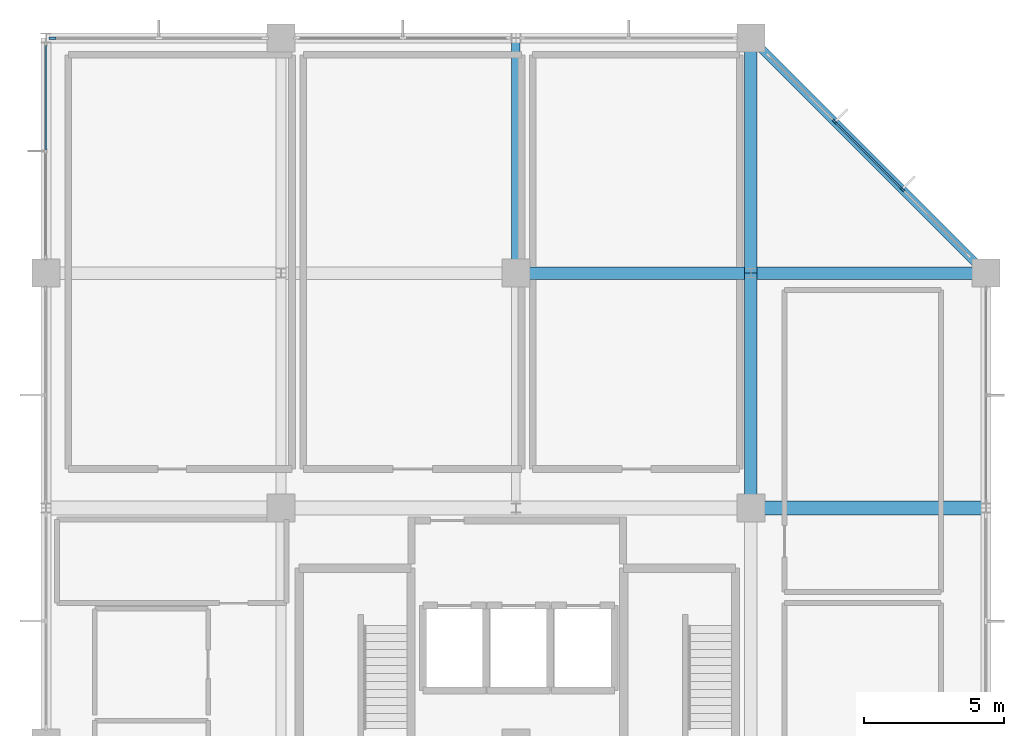
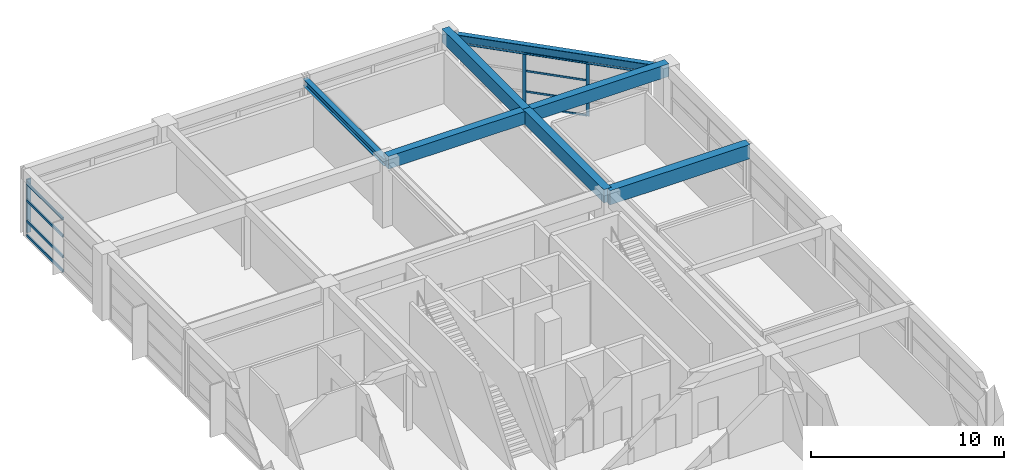
# One storey, part 8 of 16: 11 members, 7 beams, 3 elements without a shape of their own.
"""IFC4 building model written with IfcOpenShell, lengths in metres."""

from ifc_helpers import new_model, si_unit, direction, frame, origin, origin_2d, place, context, subcontext, project, spatial, rectangle, i_section, extrude, material, material_profile, profile_set, type_object, element, aggregate, save


model = new_model("IFC4")

# Units and contexts
model_context = context("Model", 3, precision=1e-05, world=origin(), true_north=direction((0.0, 1.0)))
body_context = subcontext(model_context, "Body", "Model", "MODEL_VIEW")
ifc_project = project(units=[si_unit("LENGTHUNIT", "METRE"), si_unit("AREAUNIT", "SQUARE_METRE"), si_unit("VOLUMEUNIT", "CUBIC_METRE"), si_unit("PLANEANGLEUNIT", "RADIAN"), si_unit("MASSUNIT", "GRAM", prefix="KILO")], contexts=[model_context])

# Site, building, storey
site_placement = place(None, origin())
site = spatial("IfcSite", under=ifc_project, at=site_placement, CompositionType="ELEMENT")
building_placement = place(site_placement, origin())
building = spatial("IfcBuilding", under=site, at=building_placement, Name="Xuanlan Plaza Opera House", CompositionType="ELEMENT")
storey_placement = place(building_placement, frame((0.0, 0.0, 48.89990234375)))
storey = spatial("IfcBuildingStorey", under=building, at=storey_placement, Name="L11", CompositionType="ELEMENT", Elevation=48.89990234375)

# Curtain wall, members
ifc_material_1 = material(Name="Anodised Aluminium 6063-T6 and Low-E Glass", Category="aluminium")
curtain_wall_type_1 = type_object("IfcCurtainWallType", Name="ENV-CW-CW-02", PredefinedType="USERDEFINED", material=ifc_material_1)
curtain_wall_1_placement = place(storey_placement, origin())
curtain_wall_1 = element("IfcCurtainWall", 1, at=curtain_wall_1_placement, inside=storey, type_object=curtain_wall_type_1, Name="Unitised Curtain Wall L11-009", ObjectType="UNITISED CURTAIN WALL", PredefinedType="USERDEFINED")
ifc_material_2 = material(Name="Anodised Aluminium 6063-T6", Category="aluminium")
ifc_material_profile_1 = material_profile(ifc_material_2, rectangle(XDim=0.070068359375, YDim=0.179931640625, at=origin_2d()), Name="ALU-M 70x180")
ifc_profile_set_1 = profile_set([ifc_material_profile_1], Name="Anodised Aluminium 6063-T6")
member_type_1 = type_object("IfcMemberType", Name="ENV-CWM-02", PredefinedType="MULLION", material=ifc_profile_set_1)
member_1_placement = place(storey_placement, frame((156.600341796875, 78.599609375, 0.0), z_axis=(0.0, 0.0, 1.0), x_axis=(-0.707106781187, -0.707106781187, 0.0)))
member_1 = element("IfcMember", 2, at=member_1_placement, type_object=member_type_1, Name="CW-02 mullion 2", PredefinedType="MULLION", context=body_context, shape_type="SweptSolid", body=[
    extrude(rectangle(XDim=0.070068359375, YDim=0.179931640625, at=origin_2d()), origin(), (0.0, 0.0, 1.0), 3.380126953125),
])
member_2_placement = place(storey_placement, frame((154.19970703125, 81.000244140625, 0.0), z_axis=(0.0, 0.0, 1.0), x_axis=(-0.707106781187, -0.707106781187, 0.0)))
member_2 = element("IfcMember", 3, at=member_2_placement, type_object=member_type_1, Name="CW-02 mullion 3", PredefinedType="MULLION", context=body_context, shape_type="SweptSolid", body=[
    extrude(rectangle(XDim=0.070068359375, YDim=0.179931640625, at=origin_2d()), origin(), (0.0, 0.0, 1.0), 3.380126953125),
])

# Curtain wall, member
curtain_wall_type_2 = type_object("IfcCurtainWallType", Name="ENV-CW-CW-01", PredefinedType="USERDEFINED", material=ifc_material_1)
curtain_wall_2_placement = place(storey_placement, origin())
curtain_wall_2 = element("IfcCurtainWall", 4, at=curtain_wall_2_placement, inside=storey, type_object=curtain_wall_type_2, Name="Unitised Curtain Wall L11-012", ObjectType="UNITISED CURTAIN WALL", PredefinedType="USERDEFINED")
ifc_material_profile_2 = material_profile(ifc_material_2, rectangle(XDim=0.090087890625, YDim=0.25, at=origin_2d()), Name="ALU-M 90x250")
ifc_profile_set_2 = profile_set([ifc_material_profile_2], Name="Anodised Aluminium 6063-T6")
member_type_2 = type_object("IfcMemberType", Name="ENV-CWM-05", PredefinedType="MULLION", material=ifc_profile_set_2)
member_3_placement = place(storey_placement, frame((126.239990234375, 84.0, 0.0), z_axis=(0.0, 0.0, 1.0), x_axis=(0.0, -1.0, 0.0)))
member_3 = element("IfcMember", 5, at=member_3_placement, type_object=member_type_2, Name="CW-01 mullion 3", PredefinedType="MULLION", context=body_context, shape_type="SweptSolid", body=[
    extrude(rectangle(XDim=0.090087890625, YDim=0.25, at=origin_2d()), origin(), (0.0, 0.0, 1.0), 3.380126953125),
])
aggregate(curtain_wall_2, [member_3])

# Member
ifc_material_profile_3 = material_profile(ifc_material_2, rectangle(XDim=0.06494140625, YDim=0.1201171875, at=origin_2d()), Name="ALU-T 65x120")
ifc_profile_set_3 = profile_set([ifc_material_profile_3], Name="Anodised Aluminium 6063-T6")
member_type_3 = type_object("IfcMemberType", Name="ENV-CWT-01", PredefinedType="USERDEFINED", material=ifc_profile_set_3)
member_4_placement = place(storey_placement, frame((156.57568359375, 78.62451171875, 0.03271484375), z_axis=(-0.707143492075, 0.707070068392, 0.0), x_axis=(-0.707070068392, -0.707143492075, 0.0)))
member_4 = element("IfcMember", 6, at=member_4_placement, type_object=member_type_3, Name="CW-02 transom 2.1", ObjectType="TRANSOM", PredefinedType="USERDEFINED", context=body_context, shape_type="SweptSolid", body=[
    extrude(rectangle(XDim=0.06494140625, YDim=0.1201171875, at=origin_2d()), origin(), (0.0, 0.0, 1.0), 3.3251953125),
])

member_5_placement = place(storey_placement, frame((156.57568359375, 78.62451171875, 0.9501953125), z_axis=(-0.707143492075, 0.707070068392, 0.0), x_axis=(-0.707070068392, -0.707143492075, 0.0)))
member_5 = element("IfcMember", 7, at=member_5_placement, type_object=member_type_3, Name="CW-02 transom 2.2", ObjectType="TRANSOM", PredefinedType="USERDEFINED", context=body_context, shape_type="SweptSolid", body=[
    extrude(rectangle(XDim=0.06494140625, YDim=0.1201171875, at=origin_2d()), origin(), (0.0, 0.0, 1.0), 3.3251953125),
])

member_6_placement = place(storey_placement, frame((156.57568359375, 78.62451171875, 2.25), z_axis=(-0.707143492075, 0.707070068392, 0.0), x_axis=(-0.707070068392, -0.707143492075, 0.0)))
member_6 = element("IfcMember", 8, at=member_6_placement, type_object=member_type_3, Name="CW-02 transom 2.3", ObjectType="TRANSOM", PredefinedType="USERDEFINED", context=body_context, shape_type="SweptSolid", body=[
    extrude(rectangle(XDim=0.06494140625, YDim=0.1201171875, at=origin_2d()), origin(), (0.0, 0.0, 1.0), 3.3251953125),
])

member_7_placement = place(storey_placement, frame((156.57568359375, 78.62451171875, 3.34765625), z_axis=(-0.707143492075, 0.707070068392, 0.0), x_axis=(-0.707070068392, -0.707143492075, 0.0)))
member_7 = element("IfcMember", 9, at=member_7_placement, type_object=member_type_3, Name="CW-02 transom 2.4", ObjectType="TRANSOM", PredefinedType="USERDEFINED", context=body_context, shape_type="SweptSolid", body=[
    extrude(rectangle(XDim=0.06494140625, YDim=0.1201171875, at=origin_2d()), origin(), (0.0, 0.0, 1.0), 3.3251953125),
])

aggregate(curtain_wall_1, [member_1, member_2, member_4, member_5, member_6, member_7])

# Curtain wall, members
curtain_wall_3_placement = place(storey_placement, origin())
curtain_wall_3 = element("IfcCurtainWall", 10, at=curtain_wall_3_placement, inside=storey, type_object=curtain_wall_type_1, Name="Unitised Curtain Wall L11-013", ObjectType="UNITISED CURTAIN WALL", PredefinedType="USERDEFINED")
ifc_material_profile_4 = material_profile(ifc_material_2, rectangle(XDim=0.080078125, YDim=0.1650390625, at=origin_2d()), Name="ALU-T 80x165")
ifc_profile_set_4 = profile_set([ifc_material_profile_4], Name="Anodised Aluminium 6063-T6")
member_type_4 = type_object("IfcMemberType", Name="ENV-CWT-04", PredefinedType="USERDEFINED", material=ifc_profile_set_4)
member_8_placement = place(storey_placement, frame((126.0, 83.739990234375, 0.0400390625), z_axis=(0.0, -1.0, 0.0), x_axis=(1.0, 0.0, 0.0)))
member_8 = element("IfcMember", 11, at=member_8_placement, type_object=member_type_4, Name="CW-02 transom 1.1", ObjectType="TRANSOM", PredefinedType="USERDEFINED", context=body_context, shape_type="SweptSolid", body=[
    extrude(rectangle(XDim=0.080078125, YDim=0.1650390625, at=origin_2d()), origin(), (0.0, 0.0, 1.0), 3.744873046875),
])
member_9_placement = place(storey_placement, frame((126.0, 83.739990234375, 0.9501953125), z_axis=(0.0, -1.0, 0.0), x_axis=(1.0, 0.0, 0.0)))
member_9 = element("IfcMember", 12, at=member_9_placement, type_object=member_type_4, Name="CW-02 transom 1.2", ObjectType="TRANSOM", PredefinedType="USERDEFINED", context=body_context, shape_type="SweptSolid", body=[
    extrude(rectangle(XDim=0.080078125, YDim=0.1650390625, at=origin_2d()), origin(), (0.0, 0.0, 1.0), 3.744873046875),
])
member_10_placement = place(storey_placement, frame((126.0, 83.739990234375, 2.25), z_axis=(0.0, -1.0, 0.0), x_axis=(1.0, 0.0, 0.0)))
member_10 = element("IfcMember", 13, at=member_10_placement, type_object=member_type_4, Name="CW-02 transom 1.3", ObjectType="TRANSOM", PredefinedType="USERDEFINED", context=body_context, shape_type="SweptSolid", body=[
    extrude(rectangle(XDim=0.080078125, YDim=0.1650390625, at=origin_2d()), origin(), (0.0, 0.0, 1.0), 3.744873046875),
])
member_11_placement = place(storey_placement, frame((126.0, 83.739990234375, 3.340087890625), z_axis=(0.0, -1.0, 0.0), x_axis=(1.0, 0.0, 0.0)))
member_11 = element("IfcMember", 14, at=member_11_placement, type_object=member_type_4, Name="CW-02 transom 1.4", ObjectType="TRANSOM", PredefinedType="USERDEFINED", context=body_context, shape_type="SweptSolid", body=[
    extrude(rectangle(XDim=0.080078125, YDim=0.1650390625, at=origin_2d()), origin(), (0.0, 0.0, 1.0), 3.744873046875),
])
aggregate(curtain_wall_3, [member_8, member_9, member_10, member_11])

# Beams
ifc_material_3 = material(Name="Concrete C40", Category="concrete")
ifc_material_profile_5 = material_profile(ifc_material_3, rectangle(XDim=0.5, YDim=0.89990234375, at=origin_2d()), Name="RC-BM 500x900")
ifc_profile_set_5 = profile_set([ifc_material_profile_5], Name="Concrete C40")
beam_type_1 = type_object("IfcBeamType", Name="STR-BM-B-03", PredefinedType="BEAM", material=ifc_profile_set_5)
beam_1_placement = place(storey_placement, frame((151.199951171875, 67.199951171875, 3.75), z_axis=(1.0, 0.0, 0.0), x_axis=(0.0, 1.0, 0.0)))
element("IfcBeam", 15, at=beam_1_placement, inside=storey, type_object=beam_type_1, Name="Grid Beam X L11 19-20/I", PredefinedType="BEAM", context=body_context, shape_type="SweptSolid", body=[
    extrude(rectangle(XDim=0.5, YDim=0.89990234375, at=origin_2d()), origin(), (0.0, 0.0, 1.0), 8.400146484375),
])
ifc_material_profile_6 = material_profile(ifc_material_3, rectangle(XDim=0.449951171875, YDim=0.85009765625, at=origin_2d()), Name="RC-BM 450x850")
ifc_profile_set_6 = profile_set([ifc_material_profile_6], Name="Concrete C40")
beam_type_2 = type_object("IfcBeamType", Name="STR-BM-B-04", PredefinedType="BEAM", material=ifc_profile_set_6)
beam_2_placement = place(storey_placement, frame((151.199951171875, 67.199951171875, 3.775146484375), z_axis=(0.0, 1.0, 0.0), x_axis=(-1.0, 0.0, 0.0)))
element("IfcBeam", 16, at=beam_2_placement, inside=storey, type_object=beam_type_2, Name="Grid Beam Y L11 19/I-J", PredefinedType="BEAM", context=body_context, shape_type="SweptSolid", body=[
    extrude(rectangle(XDim=0.449951171875, YDim=0.85009765625, at=origin_2d()), origin(), (0.0, 0.0, 1.0), 8.400146484375),
])
beam_3_placement = place(storey_placement, frame((151.199951171875, 75.60009765625, 3.775146484375), z_axis=(0.0, 1.0, 0.0), x_axis=(-1.0, 0.0, 0.0)))
element("IfcBeam", 17, at=beam_3_placement, inside=storey, type_object=beam_type_2, Name="Grid Beam Y L11 19/J-K", PredefinedType="BEAM", context=body_context, shape_type="SweptSolid", body=[
    extrude(rectangle(XDim=0.449951171875, YDim=0.85009765625, at=origin_2d()), origin(), (0.0, 0.0, 1.0), 8.39990234375),
])
ifc_material_profile_7 = material_profile(ifc_material_3, rectangle(XDim=0.449951171875, YDim=0.800048828125, at=origin_2d()), Name="RC-BM 450x800")
ifc_profile_set_7 = profile_set([ifc_material_profile_7], Name="Concrete C40")
beam_type_3 = type_object("IfcBeamType", Name="STR-BM-B-05", PredefinedType="BEAM", material=ifc_profile_set_7)
beam_4_placement = place(storey_placement, frame((142.800048828125, 75.60009765625, 3.800048828125), z_axis=(1.0, 0.0, 0.0), x_axis=(0.0, 1.0, 0.0)))
element("IfcBeam", 18, at=beam_4_placement, inside=storey, type_object=beam_type_3, Name="Grid Beam X L11 18-19/J", PredefinedType="BEAM", context=body_context, shape_type="SweptSolid", body=[
    extrude(rectangle(XDim=0.449951171875, YDim=0.800048828125, at=origin_2d()), origin(), (0.0, 0.0, 1.0), 8.39990234375),
])
beam_5_placement = place(storey_placement, frame((151.199951171875, 75.60009765625, 3.800048828125), z_axis=(1.0, 0.0, 0.0), x_axis=(0.0, 1.0, 0.0)))
element("IfcBeam", 19, at=beam_5_placement, inside=storey, type_object=beam_type_3, Name="Grid Beam X L11 19-20/J", PredefinedType="BEAM", context=body_context, shape_type="SweptSolid", body=[
    extrude(rectangle(XDim=0.449951171875, YDim=0.800048828125, at=origin_2d()), origin(), (0.0, 0.0, 1.0), 8.400146484375),
])
ifc_material_4 = material(Name="Steel Q355B", Category="steel")
ifc_material_profile_8 = material_profile(ifc_material_4, i_section(OverallWidth=0.300048828125, OverallDepth=0.43994140625, WebThickness=0.010986328125, FlangeThickness=0.01806640625, FilletRadius=0.02001953125, at=origin_2d()), Name="HM 440x300x11x18")
ifc_profile_set_8 = profile_set([ifc_material_profile_8], Name="Steel Q355B")
beam_type_4 = type_object("IfcBeamType", Name="STR-BM-SB-08", PredefinedType="BEAM", material=ifc_profile_set_8)
beam_6_placement = place(storey_placement, frame((142.800048828125, 75.60009765625, 3.735107421875), z_axis=(0.0, 1.0, 0.0), x_axis=(-1.0, 0.0, 0.0)))
element("IfcBeam", 20, at=beam_6_placement, inside=storey, type_object=beam_type_4, Name="Grid Beam Y L11 18/J-K", PredefinedType="BEAM", context=body_context, shape_type="SweptSolid", body=[
    extrude(i_section(OverallWidth=0.300048828125, OverallDepth=0.43994140625, WebThickness=0.010986328125, FlangeThickness=0.01806640625, FilletRadius=0.02001953125, at=origin_2d()), origin(), (0.0, 0.0, 1.0), 8.39990234375),
])
ifc_material_profile_9 = material_profile(ifc_material_4, i_section(OverallWidth=0.300048828125, OverallDepth=0.587890625, WebThickness=0.011962890625, FlangeThickness=0.02001953125, FilletRadius=0.02392578125, at=origin_2d()), Name="HM 588x300x12x20")
ifc_profile_set_9 = profile_set([ifc_material_profile_9], Name="Steel Q355B")
beam_type_5 = type_object("IfcBeamType", Name="STR-BM-SP-03", PredefinedType="SPANDREL", material=ifc_profile_set_9)
beam_7_placement = place(storey_placement, frame((159.60009765625, 75.60009765625, 3.6611328125), z_axis=(-0.707117056885, 0.707096505339, 0.0), x_axis=(-0.707096505339, -0.707117056885, 0.0)))
element("IfcBeam", 21, at=beam_7_placement, inside=storey, type_object=beam_type_5, Name="Faceted Edge Spandrel L11 CH03", PredefinedType="SPANDREL", context=body_context, shape_type="SweptSolid", body=[
    extrude(i_section(OverallWidth=0.300048828125, OverallDepth=0.587890625, WebThickness=0.011962890625, FlangeThickness=0.02001953125, FilletRadius=0.02392578125, at=origin_2d()), origin(), (0.0, 0.0, 1.0), 11.87939453125),
])

save(model, "model.ifc")
